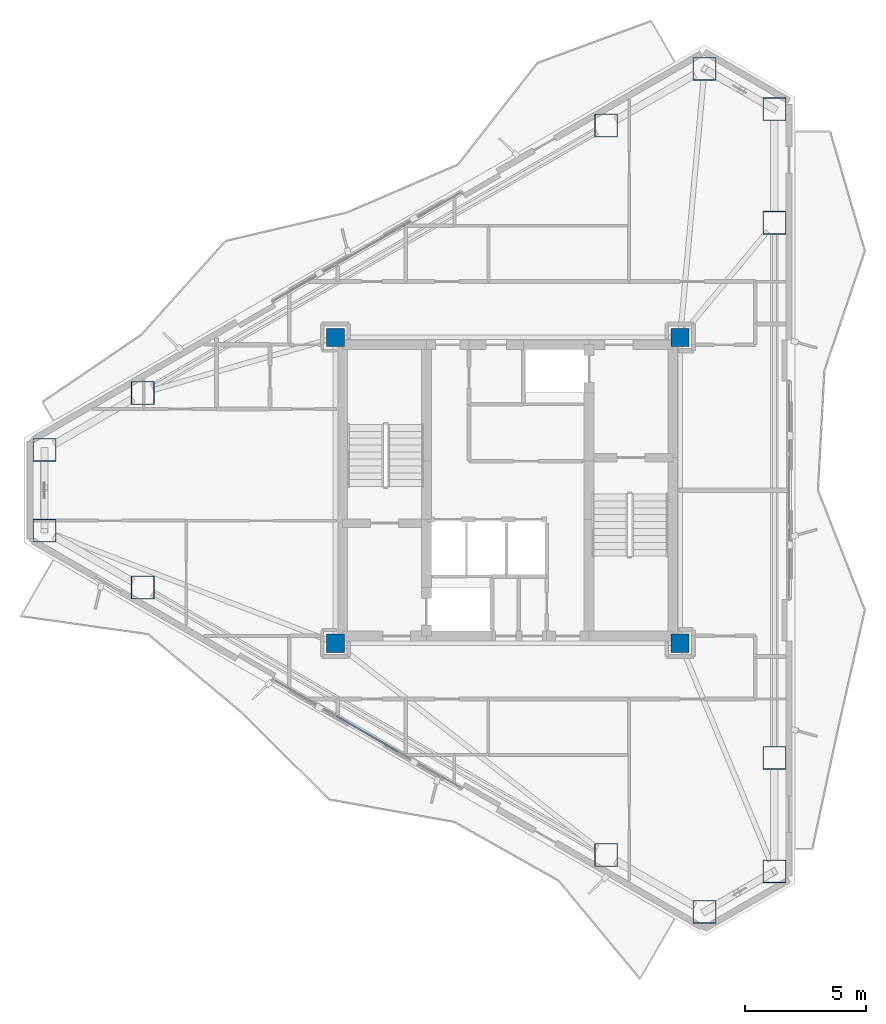
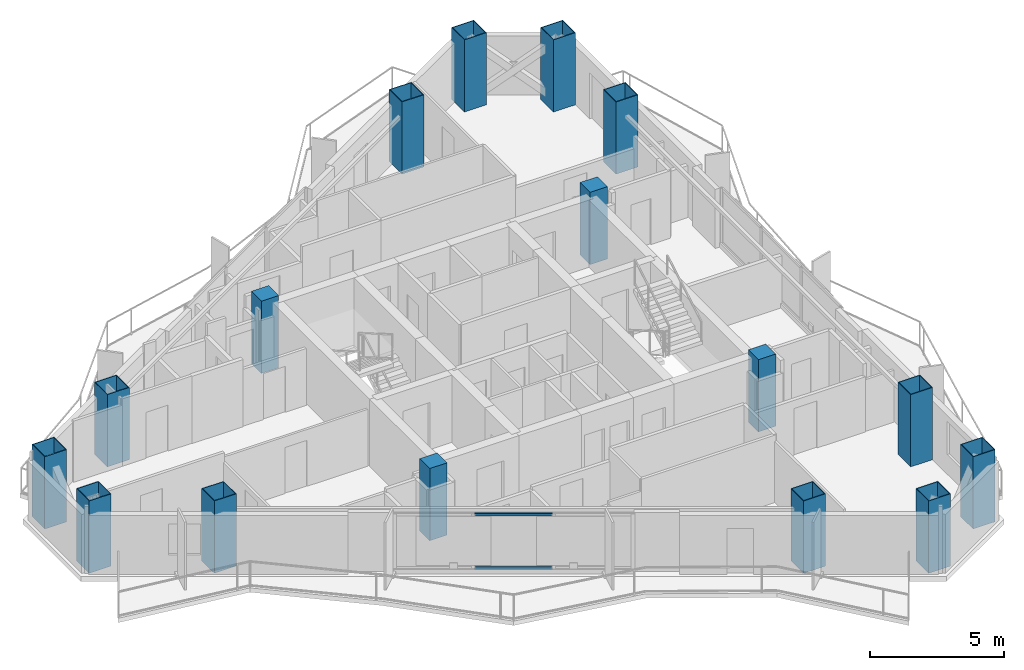
# One storey, part 1 of 22: 16 columns, 2 members, 1 element without a shape of its own.
"""IFC4 building model written with IfcOpenShell, lengths in metres."""

from ifc_helpers import new_model, si_unit, direction, frame, origin, origin_2d, place, context, subcontext, project, spatial, rectangle, hollow_rectangle, extrude, material, layer, layer_set, material_profile, profile_set, type_object, element, aggregate, save


model = new_model("IFC4")

# Units and contexts
model_context = context("Model", 3, precision=1e-05, world=origin(), true_north=direction((0.0, 1.0)))
body_context = subcontext(model_context, "Body", "Model", "MODEL_VIEW")
ifc_project = project(units=[si_unit("LENGTHUNIT", "METRE"), si_unit("AREAUNIT", "SQUARE_METRE"), si_unit("VOLUMEUNIT", "CUBIC_METRE"), si_unit("PLANEANGLEUNIT", "RADIAN"), si_unit("MASSUNIT", "GRAM", prefix="KILO")], contexts=[model_context])

# Site, building, storey
site_placement = place(None, origin())
site = spatial("IfcSite", under=ifc_project, at=site_placement, CompositionType="ELEMENT")
building_placement = place(site_placement, origin())
building = spatial("IfcBuilding", under=site, at=building_placement, Name="Mersakhor Tower and Convention Hall", CompositionType="ELEMENT")
storey_placement = place(building_placement, frame((0.0, 0.0, 192.0)))
storey = spatial("IfcBuildingStorey", under=building, at=storey_placement, Name="L53", CompositionType="ELEMENT", Elevation=192.0)

# Columns
ifc_material_1 = material(Name="Concrete C60/75 in S460M steel box", Category="concrete")
ifc_material_profile_1 = material_profile(ifc_material_1, hollow_rectangle(XDim=0.949951171875, YDim=0.949951171875, WallThickness=0.028076171875, at=origin_2d()), Name="SHS 950x950x28")
ifc_profile_set_1 = profile_set([ifc_material_profile_1], Name="Concrete C60/75 in S460M steel box")
column_type_1 = type_object("IfcColumnType", Name="COL-CFT-950", PredefinedType="COLUMN", material=ifc_profile_set_1)
for number, where, z_axis, x_axis, name in (
    (1, (9.907470703125, 28.415283203125, 0.0), (0.0, 0.0, 1.0), (1.0, 0.0, 0.0), "L53 Perimeter Mega-Column MC-01"),
    (2, (13.959716796875, 30.7548828125, 0.0), (0.0, 0.0, 1.0), (1.0, 0.0, 0.0), "L53 Perimeter Mega-Column MC-02"),
    (3, (33.0517578125, 41.777587890625, 0.0), (0.0, 0.0, 1.0), (1.0, 0.0, 0.0), "L53 Perimeter Mega-Column MC-03"),
    (4, (37.10400390625, 44.1171875, 0.0), (0.0, 0.0, 1.0), (1.0, 0.0, 0.0), "L53 Perimeter Mega-Column MC-04"),
    (5, (39.98828125, 42.451904296875, 0.0), (0.0, 0.0, 1.0), (1.0, 0.0, 0.0), "L53 Perimeter Mega-Column MC-05"),
    (6, (39.98828125, 37.772705078125, 0.0), (0.0, 0.0, 1.0), (1.0, 0.0, 0.0), "L53 Perimeter Mega-Column MC-06"),
    (7, (39.98828125, 15.727294921875, 0.0), (0.0, 0.0, 1.0), (1.0, 0.0, 0.0), "L53 Perimeter Mega-Column MC-07"),
    (8, (39.98828125, 11.048095703125, 0.0), (0.0, 0.0, 1.0), (1.0, 0.0, 0.0), "L53 Perimeter Mega-Column MC-08"),
    (9, (37.10400390625, 9.3828125, 0.0), (0.0, 0.0, 1.0), (1.0, 0.0, 0.0), "L53 Perimeter Mega-Column MC-09"),
    (10, (33.0517578125, 11.722412109375, 0.0), (0.0, 0.0, 1.0), (1.0, 0.0, 0.0), "L53 Perimeter Mega-Column MC-10"),
    (11, (13.959716796875, 22.7451171875, 0.0), (0.0, 0.0, 1.0), (1.0, 0.0, 0.0), "L53 Perimeter Mega-Column MC-11"),
    (12, (9.907470703125, 25.084716796875, 0.0), (0.0, 0.0, 1.0), (1.0, 0.0, 0.0), "L53 Perimeter Mega-Column MC-12"),
):
    element("IfcColumn", number, at=place(storey_placement, frame(where, z_axis=z_axis, x_axis=x_axis)), inside=storey, type_object=column_type_1, Name=name, PredefinedType="COLUMN", context=body_context, shape_type="SweptSolid", body=[
        extrude(hollow_rectangle(XDim=0.949951171875, YDim=0.949951171875, WallThickness=0.028076171875, at=origin_2d()), origin(), (0.0, 0.0, 1.0), 3.300048828125),
    ])
ifc_material_2 = material(Name="Concrete C50/60", Category="concrete")
ifc_material_profile_2 = material_profile(ifc_material_2, rectangle(XDim=0.75, YDim=0.75, at=origin_2d()), Name="RC 750x750")
ifc_profile_set_2 = profile_set([ifc_material_profile_2], Name="Concrete C50/60")
column_type_2 = type_object("IfcColumnType", Name="COL-RC-750", PredefinedType="COLUMN", material=ifc_profile_set_2)
for number, where, z_axis, x_axis, name in (
    (13, (21.89990234375, 20.449951171875, 0.0), (0.0, 0.0, 1.0), (1.0, 0.0, 0.0), "L53 Core Corner Column CC-1"),
    (14, (21.89990234375, 33.050048828125, 0.0), (0.0, 0.0, 1.0), (1.0, 0.0, 0.0), "L53 Core Corner Column CC-2"),
    (15, (36.10009765625, 33.050048828125, 0.0), (0.0, 0.0, 1.0), (1.0, 0.0, 0.0), "L53 Core Corner Column CC-3"),
    (16, (36.10009765625, 20.449951171875, 0.0), (0.0, 0.0, 1.0), (1.0, 0.0, 0.0), "L53 Core Corner Column CC-4"),
):
    element("IfcColumn", number, at=place(storey_placement, frame(where, z_axis=z_axis, x_axis=x_axis)), inside=storey, type_object=column_type_2, Name=name, PredefinedType="COLUMN", context=body_context, shape_type="SweptSolid", body=[
        extrude(rectangle(XDim=0.75, YDim=0.75, at=origin_2d()), origin(), (0.0, 0.0, 1.0), 3.300048828125),
    ])

# Curtain wall, members
ifc_material_3 = material(Name="Dark solar low-E aluminium curtain wall", Category="aluminium")
ifc_layer = layer(ifc_material_3, 0.169921875)
ifc_layer_set = layer_set([ifc_layer], Name="Dark solar low-E aluminium curtain wall")
curtain_wall_type = type_object("IfcCurtainWallType", Name="CW-SYS-02", PredefinedType="USERDEFINED", material=ifc_layer_set)
curtain_wall_placement = place(storey_placement, origin())
curtain_wall = element("IfcCurtainWall", 17, at=curtain_wall_placement, inside=storey, type_object=curtain_wall_type, Name="L53 Dark-Glass Curtain Wall F3-B2", ObjectType="CURTAIN WALL", PredefinedType="USERDEFINED")
ifc_material_4 = material(Name="Anodised aluminium EN AW-6063 T6", Category="aluminium")
ifc_material_profile_3 = material_profile(ifc_material_4, hollow_rectangle(XDim=0.06005859375, YDim=0.1201171875, WallThickness=0.0048828125, at=origin_2d()), Name="RHS 120x60x5")
ifc_profile_set_3 = profile_set([ifc_material_profile_3], Name="Anodised aluminium EN AW-6063 T6")
member_type = type_object("IfcMemberType", Name="CWT-120x60", PredefinedType="USERDEFINED", material=ifc_profile_set_3)
member_1_placement = place(storey_placement, frame((24.47216796875, 15.98291015625, 0.22998046875), z_axis=(-0.866004860328, 0.500035580622, 0.0), x_axis=(-0.500035580622, -0.866004860328, 0.0)))
member_1 = element("IfcMember", 18, at=member_1_placement, type_object=member_type, Name="CW-02 transom 2.1", ObjectType="TRANSOM", PredefinedType="USERDEFINED", context=body_context, shape_type="SweptSolid", body=[
    extrude(hollow_rectangle(XDim=0.06005859375, YDim=0.1201171875, WallThickness=0.0048828125, at=origin_2d()), origin(), (0.0, 0.0, 1.0), 2.924560546875),
])
member_2_placement = place(storey_placement, frame((24.47216796875, 15.98291015625, 2.659912109375), z_axis=(-0.866004860328, 0.500035580622, 0.0), x_axis=(-0.500035580622, -0.866004860328, 0.0)))
member_2 = element("IfcMember", 19, at=member_2_placement, type_object=member_type, Name="CW-02 transom 2.2", ObjectType="TRANSOM", PredefinedType="USERDEFINED", context=body_context, shape_type="SweptSolid", body=[
    extrude(hollow_rectangle(XDim=0.06005859375, YDim=0.1201171875, WallThickness=0.0048828125, at=origin_2d()), origin(), (0.0, 0.0, 1.0), 2.924560546875),
])
aggregate(curtain_wall, [member_1, member_2])

save(model, "model.ifc")
